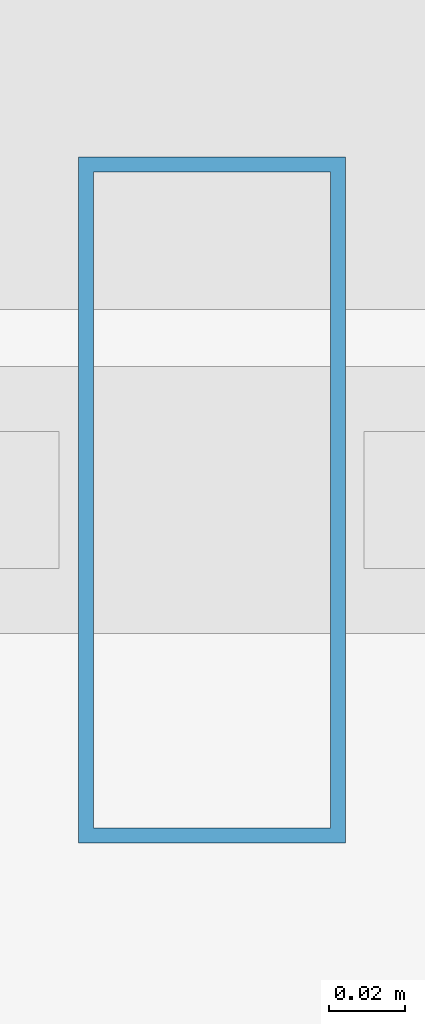
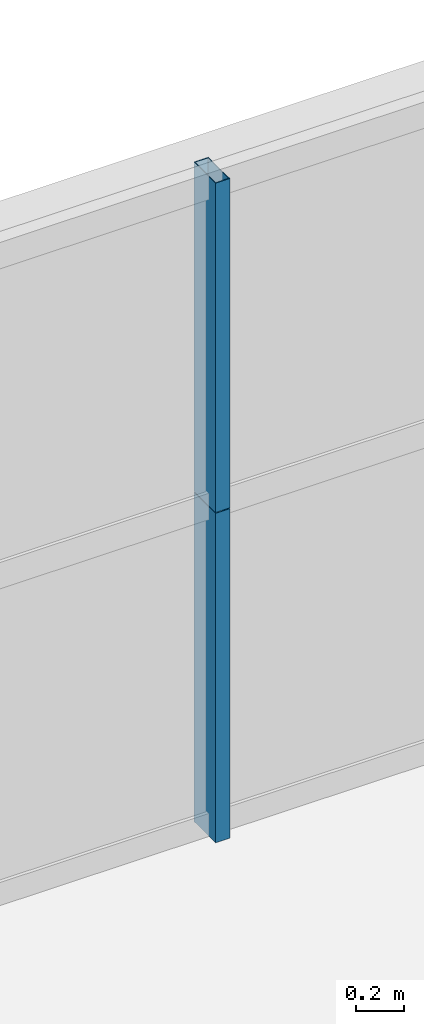
# One storey, part 35 of 43: 2 members, 1 element without a shape of its own.
"""IFC4 building model written with IfcOpenShell, lengths in metres."""

import ifcopenshell
import ifcopenshell.guid

model = None  # the IFC model being written
_history = None  # IfcOwnerHistory: only IFC2X3 demands one
_inside = {}  # id of a spatial element -> (the spatial element, [elements in it])
_under = {}  # id of a project, library or spatial element -> (it, [spatial elements below it])
_declared = {}  # id of a project -> (the project, [libraries it declares])
_typed = {}  # id of a type object -> (the type object, [elements of that type])
_made_of = {}  # id of a material, layer set ... -> (it, [elements and type objects made of it])


def new_model(schema):
    """Start an empty IFC model of exactly this schema.

    Asked for "IFC4X3", IfcOpenShell would pick the latest addendum, in which some entities
    have other attributes; the version numbers below select the first issue.
    IFC2X3 requires an IfcOwnerHistory on every rooted entity: one is made here for all.
    """
    global model, _history
    if schema == "IFC4X3":
        model = ifcopenshell.file(schema_version=(4, 3, 0, 0))
    else:
        model = ifcopenshell.file(schema=schema)
    _inside.clear()
    _under.clear()
    _declared.clear()
    _typed.clear()
    _made_of.clear()
    _history = None
    if model.schema == "IFC2X3":
        org = make("IfcOrganization", Name="unknown")
        user = make(
            "IfcPersonAndOrganization",
            ThePerson=make("IfcPerson", FamilyName="unknown"),
            TheOrganization=org,
        )
        app = make(
            "IfcApplication",
            ApplicationDeveloper=org,
            Version="unknown",
            ApplicationFullName="unknown",
            ApplicationIdentifier="unknown",
        )
        _history = make(
            "IfcOwnerHistory",
            OwningUser=user,
            OwningApplication=app,
            ChangeAction="ADDED",
            CreationDate=0,
        )
    return model


def make(cls, **values):
    """One entity of the class cls with the attributes given. An attribute that is None is left unset."""
    return model.create_entity(
        cls, **{name: value for name, value in values.items() if value is not None}
    )


def rooted(cls, **values):
    """An entity with a GlobalId (a new one), such as an element, a storey or a relation."""
    return make(cls, GlobalId=ifcopenshell.guid.new(), OwnerHistory=_history, **values)


def si_unit(unit_type, name, prefix=None):
    """IfcSIUnit, for example si_unit("LENGTHUNIT", "METRE", prefix="MILLI")."""
    return make("IfcSIUnit", UnitType=unit_type, Prefix=prefix, Name=name)


def assignment(units):
    """IfcUnitAssignment: the units of a project."""
    return None if units is None else make("IfcUnitAssignment", Units=units)


def point(xyz):
    """IfcCartesianPoint."""
    return None if xyz is None else make("IfcCartesianPoint", Coordinates=xyz)


def direction(xyz):
    """IfcDirection."""
    return None if xyz is None else make("IfcDirection", DirectionRatios=xyz)


def frame(location, z_axis=None, x_axis=None):
    """IfcAxis2Placement3D, a coordinate frame: its origin and axes. An axis left out is left unset."""
    return make(
        "IfcAxis2Placement3D",
        Location=point(location),
        Axis=direction(z_axis),
        RefDirection=direction(x_axis),
    )


def frame_2d(location, x_axis=None):
    """IfcAxis2Placement2D, a coordinate frame in the plane: its origin and x axis."""
    return make(
        "IfcAxis2Placement2D", Location=point(location), RefDirection=direction(x_axis)
    )


def origin():
    """The frame at (0, 0, 0) with its axes left unset."""
    return frame((0.0, 0.0, 0.0))


def origin_2d():
    """The frame at (0, 0) in the plane with its x axis left unset."""
    return frame_2d((0.0, 0.0))


def place(relative_to, where):
    """IfcLocalPlacement: puts the frame where relative to a parent placement (None: the world)."""
    return make(
        "IfcLocalPlacement", PlacementRelTo=relative_to, RelativePlacement=where
    )


def context(
    kind, dimensions, precision=None, world=None, true_north=None, identifier=None
):
    """IfcGeometricRepresentationContext, for example the 3D "Model" context."""
    return make(
        "IfcGeometricRepresentationContext",
        ContextIdentifier=identifier,
        ContextType=kind,
        CoordinateSpaceDimension=dimensions,
        Precision=precision,
        WorldCoordinateSystem=world,
        TrueNorth=true_north,
    )


def subcontext(parent, identifier, kind, view, scale=None):
    """IfcGeometricRepresentationSubContext, for example "Body" below "Model"."""
    return make(
        "IfcGeometricRepresentationSubContext",
        ContextIdentifier=identifier,
        ContextType=kind,
        ParentContext=parent,
        TargetScale=scale,
        TargetView=view,
    )


def project(units=None, contexts=None):
    """IfcProject with its units and contexts."""
    return rooted(
        "IfcProject",
        Name="project",
        RepresentationContexts=contexts,
        UnitsInContext=assignment(units),
    )


def spatial(cls, under=None, at=None, **own):
    """A site, building, storey or space (cls), placed at a placement, below another one or the project."""
    s = rooted(cls, ObjectPlacement=at, **own)
    if under is not None:
        _under.setdefault(under.id(), (under, []))[1].append(s)
    return s


def profile(cls, at=None, kind="AREA", **sizes):
    """A parametric profile (cls). Its sizes go by their IFC names, for example OverallWidth=200.0."""
    return make(cls, ProfileType=kind, Position=at, **sizes)


def hollow_rectangle(**sizes):
    """IfcRectangleHollowProfileDef."""
    return profile("IfcRectangleHollowProfileDef", **sizes)


def extrude(swept, where, along, depth):
    """IfcExtrudedAreaSolid: the profile swept, set in the frame where, extruded along a direction by depth."""
    return make(
        "IfcExtrudedAreaSolid",
        SweptArea=swept,
        Position=where,
        ExtrudedDirection=direction(along),
        Depth=depth,
    )


def shape(context_of_items, identifier, shape_type, items):
    """IfcShapeRepresentation: the items that make up one representation, for example the "Body"."""
    return make(
        "IfcShapeRepresentation",
        ContextOfItems=context_of_items,
        RepresentationIdentifier=identifier,
        RepresentationType=shape_type,
        Items=items,
    )


def source(mapping_origin, context_of_items, identifier, shape_type, items):
    """IfcRepresentationMap: a shape defined once, which mapped items show again and again."""
    return make(
        "IfcRepresentationMap",
        MappingOrigin=mapping_origin,
        MappedRepresentation=shape(context_of_items, identifier, shape_type, items),
    )


def transform(
    local_origin,
    x_axis=None,
    y_axis=None,
    z_axis=None,
    scale=None,
    scale2=None,
    scale3=None,
    uniform=True,
):
    """IfcCartesianTransformationOperator3D, or its non-uniform kind. x_axis, y_axis, z_axis: its Axis1, 2, 3."""
    if uniform:
        return make(
            "IfcCartesianTransformationOperator3D",
            Axis1=direction(x_axis),
            Axis2=direction(y_axis),
            LocalOrigin=point(local_origin),
            Scale=scale,
            Axis3=direction(z_axis),
        )
    return make(
        "IfcCartesianTransformationOperator3DnonUniform",
        Axis1=direction(x_axis),
        Axis2=direction(y_axis),
        LocalOrigin=point(local_origin),
        Scale=scale,
        Axis3=direction(z_axis),
        Scale2=scale2,
        Scale3=scale3,
    )


def mapped(mapping_source, mapping_target):
    """IfcMappedItem: shows the shape of a source again, moved by a transform."""
    return make(
        "IfcMappedItem", MappingSource=mapping_source, MappingTarget=mapping_target
    )


def material(Name=None, Category=None):
    """IfcMaterial."""
    return make("IfcMaterial", Name=Name, Category=Category)


def layer(
    of_material, thickness, ventilated=None, Name=None, Category=None, Priority=None
):
    """IfcMaterialLayer: one layer of a wall or slab, of a material (None: an air gap)."""
    return make(
        "IfcMaterialLayer",
        Material=of_material,
        LayerThickness=thickness,
        IsVentilated=ventilated,
        Name=Name,
        Category=Category,
        Priority=Priority,
    )


def layer_set(layers, Name=None):
    """IfcMaterialLayerSet."""
    return make("IfcMaterialLayerSet", MaterialLayers=layers, LayerSetName=Name)


def material_profile(
    of_material, cross_section, Name=None, Category=None, Priority=None
):
    """IfcMaterialProfile: a cross section and its material."""
    return make(
        "IfcMaterialProfile",
        Name=Name,
        Material=of_material,
        Profile=cross_section,
        Priority=Priority,
        Category=Category,
    )


def profile_set(profiles, Name=None, composite=None):
    """IfcMaterialProfileSet."""
    return make(
        "IfcMaterialProfileSet",
        Name=Name,
        MaterialProfiles=profiles,
        CompositeProfile=composite,
    )


def made_of(thing, what):
    """Note that an element or type object is made of a material, layer set ...; save() writes the relation."""
    if what is not None:
        _made_of.setdefault(what.id(), (what, []))[1].append(thing)
    return thing


def type_object(cls, material=None, **own):
    """A type object (cls), such as IfcWallType, which elements share."""
    return made_of(rooted(cls, **own), material)


def element(
    cls,
    number,
    at=None,
    inside=None,
    cuts=None,
    type_object=None,
    material=None,
    context=None,
    identifier="Body",
    shape_type=None,
    held_by="IfcProductDefinitionShape",
    body=None,
    shapes=None,
    **own,
):
    """One element of the class cls, such as IfcWall. Its Tag is "e" and its number.

    at: its placement. inside: the storey or other place that contains it. cuts: it is an
    opening in that element (IfcRelVoidsElement). A single representation is given by context,
    identifier, shape_type and body (its items); several are given by shapes. held_by: the class
    of the entity that holds the representations. save() writes the other relations.
    """
    e = rooted(cls, Tag="e%d" % number, ObjectPlacement=at, **own)
    if body is not None:
        shapes = [shape(context, identifier, shape_type, body)]
    if shapes is not None:
        e.Representation = make(held_by, Representations=shapes)
    if inside is not None:
        _inside.setdefault(inside.id(), (inside, []))[1].append(e)
    if cuts is not None:
        rooted(
            "IfcRelVoidsElement", RelatingBuildingElement=cuts, RelatedOpeningElement=e
        )
    if type_object is not None:
        _typed.setdefault(type_object.id(), (type_object, []))[1].append(e)
    return made_of(e, material)


def aggregate(whole, parts):
    """IfcRelAggregates: a whole, such as a stair, and the parts it consists of."""
    return rooted("IfcRelAggregates", RelatingObject=whole, RelatedObjects=parts)


def save(model, path):
    """Write the relations noted so far, then the file.

    IfcRelAggregates (storeys below a building ...), IfcRelContainedInSpatialStructure (elements
    in a storey), IfcRelDefinesByType, IfcRelAssociatesMaterial and IfcRelDeclares: one each for
    every whole, place, type object, material and project.
    """
    for whole, parts in _under.values():
        aggregate(whole, parts)
    for where, things in _inside.values():
        rooted(
            "IfcRelContainedInSpatialStructure",
            RelatedElements=things,
            RelatingStructure=where,
        )
    for kind, things in _typed.values():
        rooted("IfcRelDefinesByType", RelatedObjects=things, RelatingType=kind)
    for what, things in _made_of.values():
        rooted("IfcRelAssociatesMaterial", RelatedObjects=things, RelatingMaterial=what)
    for by, libraries in _declared.values():
        rooted("IfcRelDeclares", RelatingContext=by, RelatedDefinitions=libraries)
    model.write(path)


model = new_model("IFC4")

# Units and contexts
model_context = context("Model", 3, precision=1e-05, world=origin(), true_north=direction((0.0, 1.0)))
body_context = subcontext(model_context, "Body", "Model", "MODEL_VIEW")
ifc_project = project(units=[si_unit("LENGTHUNIT", "METRE"), si_unit("AREAUNIT", "SQUARE_METRE"), si_unit("VOLUMEUNIT", "CUBIC_METRE"), si_unit("PLANEANGLEUNIT", "RADIAN"), si_unit("MASSUNIT", "GRAM", prefix="KILO"), si_unit("THERMODYNAMICTEMPERATUREUNIT", "KELVIN"), si_unit("POWERUNIT", "WATT")], contexts=[model_context])

# Site, building, storey
site_placement = place(None, origin())
site = spatial("IfcSite", under=ifc_project, at=site_placement, CompositionType="ELEMENT")
building_placement = place(site_placement, origin())
building = spatial("IfcBuilding", under=site, at=building_placement, Name="Yuzanri Waterfront Tower", CompositionType="ELEMENT")
storey_placement = place(building_placement, frame((0.0, 0.0, 60.39990234375)))
storey = spatial("IfcBuildingStorey", under=building, at=storey_placement, Name="L15", CompositionType="ELEMENT", Elevation=60.39990234375)

# Curtain wall, members
ifc_material_1 = material(Name="Anodized Architectural Bronze", Category="metal")
ifc_layer = layer(ifc_material_1, 0.159912109375)
ifc_layer_set = layer_set([ifc_layer], Name="Anodized Architectural Bronze")
curtain_wall_type = type_object("IfcCurtainWallType", Name="Anodized Bronze Hotel Lower-Tier Recessed Unitized Curtain Wall 8100", PredefinedType="NOTDEFINED", material=ifc_layer_set)
curtain_wall_placement = place(storey_placement, origin())
curtain_wall = element("IfcCurtainWall", 1, at=curtain_wall_placement, inside=storey, type_object=curtain_wall_type, Name="L15 Curtain Wall CW-L15-NR", PredefinedType="NOTDEFINED")
ifc_material_2 = material(Name="Anodized Architectural Bronze", Category="metal")
ifc_material_profile = material_profile(ifc_material_2, hollow_rectangle(XDim=0.070068359375, YDim=0.179931640625, WallThickness=0.00390625, at=origin_2d()), Name="CWM 70x180")
ifc_profile_set = profile_set([ifc_material_profile], Name="Anodized Architectural Bronze")
member_type = type_object("IfcMemberType", Name="Anodized Bronze Standard Curtain-Wall Mullion 70x180", PredefinedType="MULLION", material=ifc_profile_set)
shared_shape = source(origin(), body_context, "Body", "SweptSolid", [
    extrude(hollow_rectangle(XDim=0.070068359375, YDim=0.179931640625, WallThickness=0.00390625, at=origin_2d()), origin(), (0.0, 0.0, 1.0), 1.68798828125),
])
member_1_placement = place(storey_placement, frame((46.10009765625, 50.75, 0.0), z_axis=(0.0, 0.0, 1.0), x_axis=(1.0, 0.0, 0.0)))
member_1 = element("IfcMember", 2, at=member_1_placement, type_object=member_type, Name="CW-L15-NR Lower Mullion 01", PredefinedType="MULLION", context=body_context, shape_type="MappedRepresentation", body=[
    mapped(shared_shape, transform((0.0, 0.0, 0.0), scale=1.0)),
])
member_2_placement = place(storey_placement, frame((46.10009765625, 50.75, 1.692138671875), z_axis=(0.0, 0.0, 1.0), x_axis=(1.0, 0.0, 0.0)))
member_2 = element("IfcMember", 3, at=member_2_placement, type_object=member_type, Name="CW-L15-NR Upper Mullion 01", PredefinedType="MULLION", context=body_context, shape_type="MappedRepresentation", body=[
    mapped(shared_shape, transform((0.0, 0.0, 0.0), scale=1.0)),
])
aggregate(curtain_wall, [member_1, member_2])

save(model, "model.ifc")
